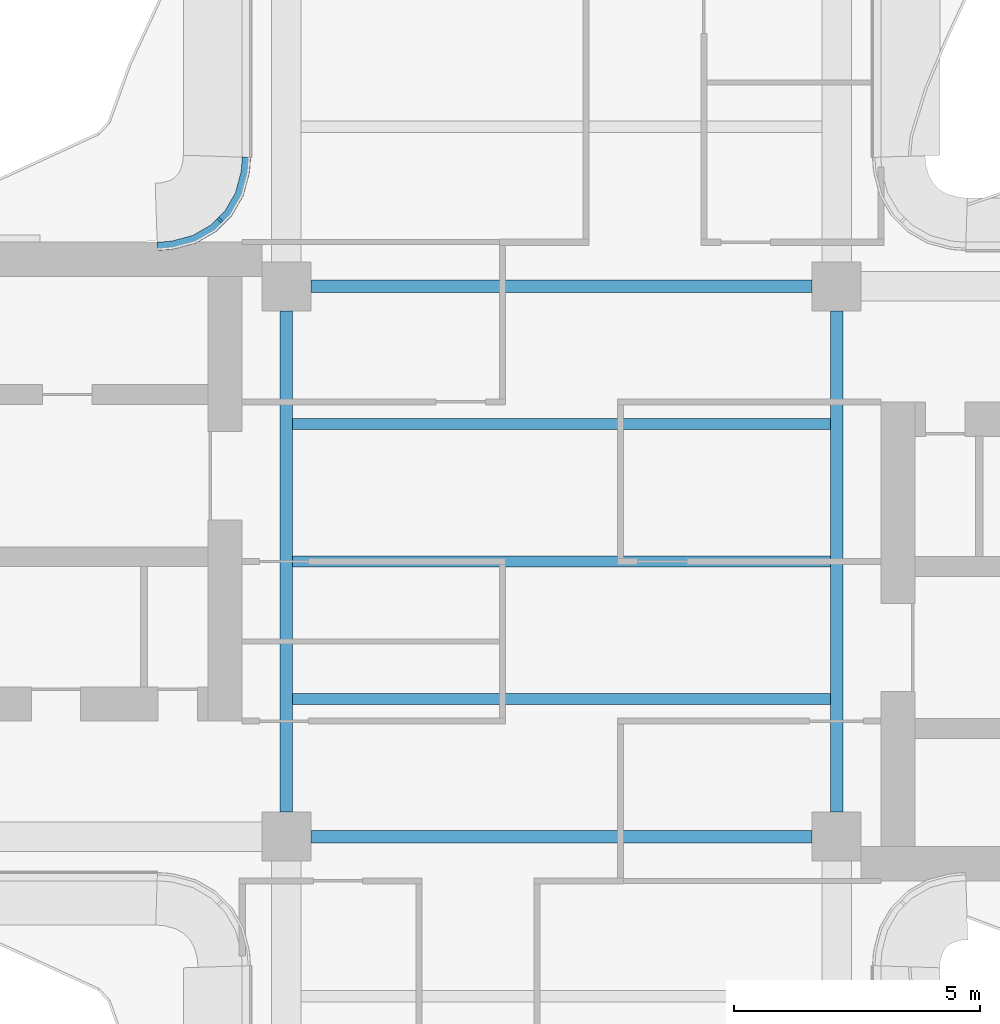
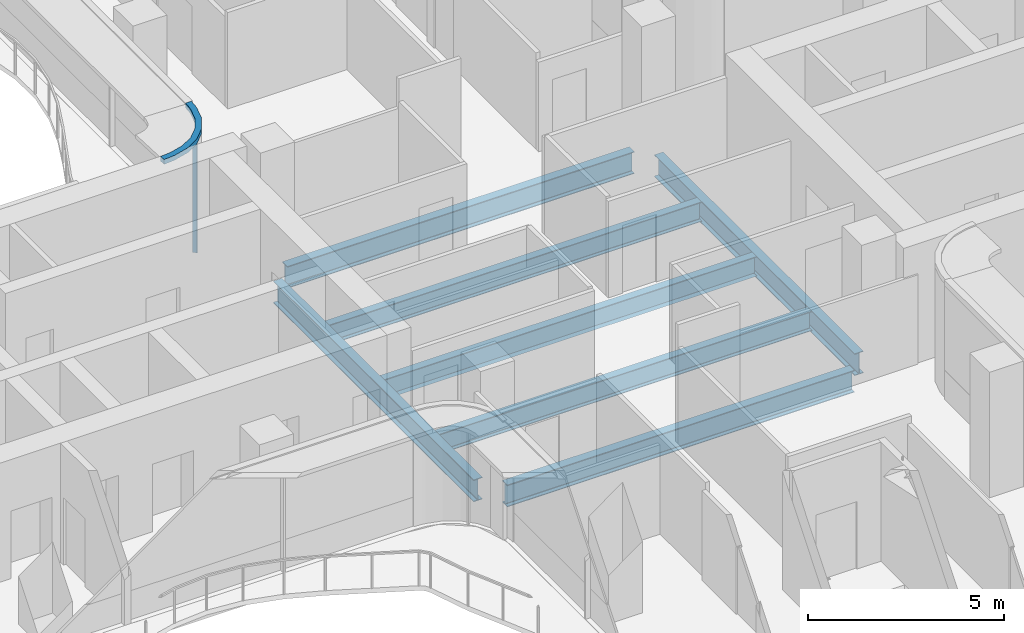
# One storey, part 4 of 15: 7 beams, 2 members, 1 element without a shape of its own.
"""IFC4 building model written with IfcOpenShell, lengths in metres."""

import ifcopenshell
import ifcopenshell.guid

model = None  # the IFC model being written
_history = None  # IfcOwnerHistory: only IFC2X3 demands one
_inside = {}  # id of a spatial element -> (the spatial element, [elements in it])
_under = {}  # id of a project, library or spatial element -> (it, [spatial elements below it])
_declared = {}  # id of a project -> (the project, [libraries it declares])
_typed = {}  # id of a type object -> (the type object, [elements of that type])
_made_of = {}  # id of a material, layer set ... -> (it, [elements and type objects made of it])


def new_model(schema):
    """Start an empty IFC model of exactly this schema.

    Asked for "IFC4X3", IfcOpenShell would pick the latest addendum, in which some entities
    have other attributes; the version numbers below select the first issue.
    IFC2X3 requires an IfcOwnerHistory on every rooted entity: one is made here for all.
    """
    global model, _history
    if schema == "IFC4X3":
        model = ifcopenshell.file(schema_version=(4, 3, 0, 0))
    else:
        model = ifcopenshell.file(schema=schema)
    _inside.clear()
    _under.clear()
    _declared.clear()
    _typed.clear()
    _made_of.clear()
    _history = None
    if model.schema == "IFC2X3":
        org = make("IfcOrganization", Name="unknown")
        user = make(
            "IfcPersonAndOrganization",
            ThePerson=make("IfcPerson", FamilyName="unknown"),
            TheOrganization=org,
        )
        app = make(
            "IfcApplication",
            ApplicationDeveloper=org,
            Version="unknown",
            ApplicationFullName="unknown",
            ApplicationIdentifier="unknown",
        )
        _history = make(
            "IfcOwnerHistory",
            OwningUser=user,
            OwningApplication=app,
            ChangeAction="ADDED",
            CreationDate=0,
        )
    return model


def make(cls, **values):
    """One entity of the class cls with the attributes given. An attribute that is None is left unset."""
    return model.create_entity(
        cls, **{name: value for name, value in values.items() if value is not None}
    )


def rooted(cls, **values):
    """An entity with a GlobalId (a new one), such as an element, a storey or a relation."""
    return make(cls, GlobalId=ifcopenshell.guid.new(), OwnerHistory=_history, **values)


def si_unit(unit_type, name, prefix=None):
    """IfcSIUnit, for example si_unit("LENGTHUNIT", "METRE", prefix="MILLI")."""
    return make("IfcSIUnit", UnitType=unit_type, Prefix=prefix, Name=name)


def assignment(units):
    """IfcUnitAssignment: the units of a project."""
    return None if units is None else make("IfcUnitAssignment", Units=units)


def point(xyz):
    """IfcCartesianPoint."""
    return None if xyz is None else make("IfcCartesianPoint", Coordinates=xyz)


def direction(xyz):
    """IfcDirection."""
    return None if xyz is None else make("IfcDirection", DirectionRatios=xyz)


def frame(location, z_axis=None, x_axis=None):
    """IfcAxis2Placement3D, a coordinate frame: its origin and axes. An axis left out is left unset."""
    return make(
        "IfcAxis2Placement3D",
        Location=point(location),
        Axis=direction(z_axis),
        RefDirection=direction(x_axis),
    )


def frame_2d(location, x_axis=None):
    """IfcAxis2Placement2D, a coordinate frame in the plane: its origin and x axis."""
    return make(
        "IfcAxis2Placement2D", Location=point(location), RefDirection=direction(x_axis)
    )


def origin():
    """The frame at (0, 0, 0) with its axes left unset."""
    return frame((0.0, 0.0, 0.0))


def origin_2d():
    """The frame at (0, 0) in the plane with its x axis left unset."""
    return frame_2d((0.0, 0.0))


def place(relative_to, where):
    """IfcLocalPlacement: puts the frame where relative to a parent placement (None: the world)."""
    return make(
        "IfcLocalPlacement", PlacementRelTo=relative_to, RelativePlacement=where
    )


def context(
    kind, dimensions, precision=None, world=None, true_north=None, identifier=None
):
    """IfcGeometricRepresentationContext, for example the 3D "Model" context."""
    return make(
        "IfcGeometricRepresentationContext",
        ContextIdentifier=identifier,
        ContextType=kind,
        CoordinateSpaceDimension=dimensions,
        Precision=precision,
        WorldCoordinateSystem=world,
        TrueNorth=true_north,
    )


def subcontext(parent, identifier, kind, view, scale=None):
    """IfcGeometricRepresentationSubContext, for example "Body" below "Model"."""
    return make(
        "IfcGeometricRepresentationSubContext",
        ContextIdentifier=identifier,
        ContextType=kind,
        ParentContext=parent,
        TargetScale=scale,
        TargetView=view,
    )


def project(units=None, contexts=None):
    """IfcProject with its units and contexts."""
    return rooted(
        "IfcProject",
        Name="project",
        RepresentationContexts=contexts,
        UnitsInContext=assignment(units),
    )


def spatial(cls, under=None, at=None, **own):
    """A site, building, storey or space (cls), placed at a placement, below another one or the project."""
    s = rooted(cls, ObjectPlacement=at, **own)
    if under is not None:
        _under.setdefault(under.id(), (under, []))[1].append(s)
    return s


def polyline(points):
    """IfcPolyline through the points."""
    return make("IfcPolyline", Points=[point(p) for p in points])


def profile(cls, at=None, kind="AREA", **sizes):
    """A parametric profile (cls). Its sizes go by their IFC names, for example OverallWidth=200.0."""
    return make(cls, ProfileType=kind, Position=at, **sizes)


def rectangle(**sizes):
    """IfcRectangleProfileDef."""
    return profile("IfcRectangleProfileDef", **sizes)


def i_section(**sizes):
    """IfcIShapeProfileDef."""
    return profile("IfcIShapeProfileDef", **sizes)


def outline(outer, holes=None, kind="AREA"):
    """IfcArbitraryClosedProfileDef: a profile drawn as a closed curve; with holes, ...WithVoids."""
    if holes is None:
        return make("IfcArbitraryClosedProfileDef", ProfileType=kind, OuterCurve=outer)
    return make(
        "IfcArbitraryProfileDefWithVoids",
        ProfileType=kind,
        OuterCurve=outer,
        InnerCurves=holes,
    )


def extrude(swept, where, along, depth):
    """IfcExtrudedAreaSolid: the profile swept, set in the frame where, extruded along a direction by depth."""
    return make(
        "IfcExtrudedAreaSolid",
        SweptArea=swept,
        Position=where,
        ExtrudedDirection=direction(along),
        Depth=depth,
    )


def shape(context_of_items, identifier, shape_type, items):
    """IfcShapeRepresentation: the items that make up one representation, for example the "Body"."""
    return make(
        "IfcShapeRepresentation",
        ContextOfItems=context_of_items,
        RepresentationIdentifier=identifier,
        RepresentationType=shape_type,
        Items=items,
    )


def source(mapping_origin, context_of_items, identifier, shape_type, items):
    """IfcRepresentationMap: a shape defined once, which mapped items show again and again."""
    return make(
        "IfcRepresentationMap",
        MappingOrigin=mapping_origin,
        MappedRepresentation=shape(context_of_items, identifier, shape_type, items),
    )


def transform(
    local_origin,
    x_axis=None,
    y_axis=None,
    z_axis=None,
    scale=None,
    scale2=None,
    scale3=None,
    uniform=True,
):
    """IfcCartesianTransformationOperator3D, or its non-uniform kind. x_axis, y_axis, z_axis: its Axis1, 2, 3."""
    if uniform:
        return make(
            "IfcCartesianTransformationOperator3D",
            Axis1=direction(x_axis),
            Axis2=direction(y_axis),
            LocalOrigin=point(local_origin),
            Scale=scale,
            Axis3=direction(z_axis),
        )
    return make(
        "IfcCartesianTransformationOperator3DnonUniform",
        Axis1=direction(x_axis),
        Axis2=direction(y_axis),
        LocalOrigin=point(local_origin),
        Scale=scale,
        Axis3=direction(z_axis),
        Scale2=scale2,
        Scale3=scale3,
    )


def mapped(mapping_source, mapping_target):
    """IfcMappedItem: shows the shape of a source again, moved by a transform."""
    return make(
        "IfcMappedItem", MappingSource=mapping_source, MappingTarget=mapping_target
    )


def material(Name=None, Category=None):
    """IfcMaterial."""
    return make("IfcMaterial", Name=Name, Category=Category)


def layer(
    of_material, thickness, ventilated=None, Name=None, Category=None, Priority=None
):
    """IfcMaterialLayer: one layer of a wall or slab, of a material (None: an air gap)."""
    return make(
        "IfcMaterialLayer",
        Material=of_material,
        LayerThickness=thickness,
        IsVentilated=ventilated,
        Name=Name,
        Category=Category,
        Priority=Priority,
    )


def layer_set(layers, Name=None):
    """IfcMaterialLayerSet."""
    return make("IfcMaterialLayerSet", MaterialLayers=layers, LayerSetName=Name)


def material_profile(
    of_material, cross_section, Name=None, Category=None, Priority=None
):
    """IfcMaterialProfile: a cross section and its material."""
    return make(
        "IfcMaterialProfile",
        Name=Name,
        Material=of_material,
        Profile=cross_section,
        Priority=Priority,
        Category=Category,
    )


def profile_set(profiles, Name=None, composite=None):
    """IfcMaterialProfileSet."""
    return make(
        "IfcMaterialProfileSet",
        Name=Name,
        MaterialProfiles=profiles,
        CompositeProfile=composite,
    )


def made_of(thing, what):
    """Note that an element or type object is made of a material, layer set ...; save() writes the relation."""
    if what is not None:
        _made_of.setdefault(what.id(), (what, []))[1].append(thing)
    return thing


def type_object(cls, material=None, **own):
    """A type object (cls), such as IfcWallType, which elements share."""
    return made_of(rooted(cls, **own), material)


def element(
    cls,
    number,
    at=None,
    inside=None,
    cuts=None,
    type_object=None,
    material=None,
    context=None,
    identifier="Body",
    shape_type=None,
    held_by="IfcProductDefinitionShape",
    body=None,
    shapes=None,
    **own,
):
    """One element of the class cls, such as IfcWall. Its Tag is "e" and its number.

    at: its placement. inside: the storey or other place that contains it. cuts: it is an
    opening in that element (IfcRelVoidsElement). A single representation is given by context,
    identifier, shape_type and body (its items); several are given by shapes. held_by: the class
    of the entity that holds the representations. save() writes the other relations.
    """
    e = rooted(cls, Tag="e%d" % number, ObjectPlacement=at, **own)
    if body is not None:
        shapes = [shape(context, identifier, shape_type, body)]
    if shapes is not None:
        e.Representation = make(held_by, Representations=shapes)
    if inside is not None:
        _inside.setdefault(inside.id(), (inside, []))[1].append(e)
    if cuts is not None:
        rooted(
            "IfcRelVoidsElement", RelatingBuildingElement=cuts, RelatedOpeningElement=e
        )
    if type_object is not None:
        _typed.setdefault(type_object.id(), (type_object, []))[1].append(e)
    return made_of(e, material)


def aggregate(whole, parts):
    """IfcRelAggregates: a whole, such as a stair, and the parts it consists of."""
    return rooted("IfcRelAggregates", RelatingObject=whole, RelatedObjects=parts)


def save(model, path):
    """Write the relations noted so far, then the file.

    IfcRelAggregates (storeys below a building ...), IfcRelContainedInSpatialStructure (elements
    in a storey), IfcRelDefinesByType, IfcRelAssociatesMaterial and IfcRelDeclares: one each for
    every whole, place, type object, material and project.
    """
    for whole, parts in _under.values():
        aggregate(whole, parts)
    for where, things in _inside.values():
        rooted(
            "IfcRelContainedInSpatialStructure",
            RelatedElements=things,
            RelatingStructure=where,
        )
    for kind, things in _typed.values():
        rooted("IfcRelDefinesByType", RelatedObjects=things, RelatingType=kind)
    for what, things in _made_of.values():
        rooted("IfcRelAssociatesMaterial", RelatedObjects=things, RelatingMaterial=what)
    for by, libraries in _declared.values():
        rooted("IfcRelDeclares", RelatingContext=by, RelatedDefinitions=libraries)
    model.write(path)


model = new_model("IFC4")

# Units and contexts
model_context = context("Model", 3, precision=1e-05, world=origin(), true_north=direction((0.0, 1.0)))
body_context = subcontext(model_context, "Body", "Model", "MODEL_VIEW")
ifc_project = project(units=[si_unit("LENGTHUNIT", "METRE"), si_unit("AREAUNIT", "SQUARE_METRE"), si_unit("VOLUMEUNIT", "CUBIC_METRE"), si_unit("PLANEANGLEUNIT", "RADIAN"), si_unit("MASSUNIT", "GRAM", prefix="KILO")], contexts=[model_context])

# Site, building, storey
site_placement = place(None, origin())
site = spatial("IfcSite", under=ifc_project, at=site_placement, CompositionType="ELEMENT")
building_placement = place(site_placement, origin())
building = spatial("IfcBuilding", under=site, at=building_placement, Name="Trellis Farm Tower", CompositionType="ELEMENT")
storey_placement = place(building_placement, frame((0.0, 0.0, 287.199951171875)))
storey = spatial("IfcBuildingStorey", under=building, at=storey_placement, Name="L64", CompositionType="ELEMENT", Elevation=287.199951171875)

# Beams
ifc_material_1 = material(Name="Steel S355", Category="steel")
ifc_material_profile_1 = material_profile(ifc_material_1, i_section(OverallWidth=0.22900390625, OverallDepth=0.6123046875, WebThickness=0.011962890625, FlangeThickness=0.01953125, FilletRadius=0.0126953125, at=origin_2d()), Name="UB 610x229x125")
ifc_profile_set_1 = profile_set([ifc_material_profile_1], Name="Steel S355")
beam_type_1 = type_object("IfcBeamType", Name="UB 610x229x125 joist", PredefinedType="JOIST", material=ifc_profile_set_1)
shared_shape_1 = source(origin(), body_context, "Body", "SweptSolid", [
    extrude(i_section(OverallWidth=0.22900390625, OverallDepth=0.6123046875, WebThickness=0.011962890625, FlangeThickness=0.01953125, FilletRadius=0.0126953125, at=origin_2d()), origin(), (0.0, 0.0, 1.0), 10.9462890625),
])
for number, where, z_axis, x_axis, name in (
    (1, (-5.47314453125, -2.800048828125, -0.506103515625), (1.0, 0.0, 0.0), (0.0, 1.0, 0.0), "Floor beam"),
    (2, (-5.47314453125, 0.0, -0.506103515625), (1.0, 0.0, 0.0), (0.0, 1.0, 0.0), "Floor beam"),
    (3, (-5.47314453125, 2.800048828125, -0.506103515625), (1.0, 0.0, 0.0), (0.0, 1.0, 0.0), "Floor beam"),
):
    element("IfcBeam", number, at=place(storey_placement, frame(where, z_axis=z_axis, x_axis=x_axis)), inside=storey, type_object=beam_type_1, Name=name, PredefinedType="JOIST", context=body_context, shape_type="MappedRepresentation", body=[
        mapped(shared_shape_1, transform((0.0, 0.0, 0.0))),
    ])
ifc_material_profile_2 = material_profile(ifc_material_1, i_section(OverallWidth=0.253662109375, OverallDepth=0.68359375, WebThickness=0.012451171875, FlangeThickness=0.021728515625, FilletRadius=0.01513671875, at=origin_2d()), Name="UB 686x254x140")
ifc_profile_set_2 = profile_set([ifc_material_profile_2], Name="Steel S355")
beam_type_2 = type_object("IfcBeamType", Name="UB 686x254x140", PredefinedType="BEAM", material=ifc_profile_set_2)
shared_shape_2 = source(origin(), body_context, "Body", "SweptSolid", [
    extrude(i_section(OverallWidth=0.253662109375, OverallDepth=0.68359375, WebThickness=0.012451171875, FlangeThickness=0.021728515625, FilletRadius=0.01513671875, at=origin_2d()), origin(), (0.0, 0.0, 1.0), 10.2001953125),
])
for number, where, z_axis, x_axis, name in (
    (4, (-5.10009765625, -5.60009765625, -0.541748046875), (1.0, 0.0, 0.0), (0.0, 1.0, 0.0), "Girder"),
    (5, (-5.10009765625, 5.60009765625, -0.541748046875), (1.0, 0.0, 0.0), (0.0, 1.0, 0.0), "Girder"),
    (6, (-5.60009765625, -5.10009765625, -0.541748046875), (0.0, 1.0, 0.0), (-1.0, 0.0, 0.0), "Girder"),
    (7, (5.60009765625, -5.10009765625, -0.541748046875), (0.0, 1.0, 0.0), (-1.0, 0.0, 0.0), "Girder"),
):
    element("IfcBeam", number, at=place(storey_placement, frame(where, z_axis=z_axis, x_axis=x_axis)), inside=storey, type_object=beam_type_2, Name=name, PredefinedType="BEAM", context=body_context, shape_type="MappedRepresentation", body=[
        mapped(shared_shape_2, transform((0.0, 0.0, 0.0))),
    ])

# Curtain wall, members
ifc_material_2 = material(Name="Aluminium and glass curtain wall", Category="aluminium")
ifc_layer_1 = layer(ifc_material_2, 0.166015625)
ifc_layer_set_1 = layer_set([ifc_layer_1], Name="WINTER GARDEN CURTAIN WALL CW3")
curtain_wall_type = type_object("IfcCurtainWallType", Name="WINTER GARDEN CURTAIN WALL CW3", PredefinedType="NOTDEFINED", material=ifc_layer_set_1)
curtain_wall_placement = place(storey_placement, origin())
curtain_wall = element("IfcCurtainWall", 8, at=curtain_wall_placement, inside=storey, type_object=curtain_wall_type, Name="CW3 004", PredefinedType="NOTDEFINED")
ifc_material_3 = material(Name="Aluminium extrusion 6063-T6", Category="aluminium")
ifc_layer_2 = layer(ifc_material_3, 0.169921875)
ifc_layer_set_2 = layer_set([ifc_layer_2], Name="Aluminium extrusion 6063-T6")
member_type_1 = type_object("IfcMemberType", Name="CW3 TRANSOM 170x150", PredefinedType="USERDEFINED", material=ifc_layer_set_2)
shared_shape_3 = source(origin(), body_context, "Body", "SweptSolid", [
    extrude(outline(polyline([(-6.5, 8.2314453125), (-6.513916015625, 8.01953125), (-6.527587890625, 7.91552734375), (-6.63671875, 7.508544921875), (-6.846923828125, 7.144287109375), (-7.144287109375, 6.846923828125), (-7.508544921875, 6.63671875), (-7.91552734375, 6.527587890625), (-8.01953125, 6.513916015625), (-8.2314453125, 6.5), (-8.225830078125, 6.330078125), (-8.0029296875, 6.3447265625), (-7.88232421875, 6.360595703125), (-7.44287109375, 6.478271484375), (-7.0400390625, 6.7109375), (-6.7109375, 7.0400390625), (-6.478271484375, 7.44287109375), (-6.360595703125, 7.88232421875), (-6.3447265625, 8.0029296875), (-6.330078125, 8.225830078125), (-6.5, 8.2314453125)])), origin(), (0.0, 0.0, 1.0), 0.14990234375),
])
member_1_placement = place(storey_placement, frame((0.0, 0.0, 3.550048828125)))
member_1 = element("IfcMember", 9, at=member_1_placement, type_object=member_type_1, Name="TR3 004", ObjectType="TRANSOM", PredefinedType="USERDEFINED", context=body_context, shape_type="MappedRepresentation", body=[
    mapped(shared_shape_3, transform((0.0, 0.0, 0.0))),
])
ifc_material_profile_3 = material_profile(ifc_material_3, rectangle(XDim=0.050048828125, YDim=0.1201171875, at=origin_2d()), Name="MULLION 50x120")
ifc_profile_set_3 = profile_set([ifc_material_profile_3], Name="Aluminium extrusion 6063-T6")
member_type_2 = type_object("IfcMemberType", Name="CW3 MULLION 50x120", PredefinedType="MULLION", material=ifc_profile_set_3)
shared_shape_4 = source(origin(), body_context, "Body", "SweptSolid", [
    extrude(rectangle(XDim=0.050048828125, YDim=0.1201171875, at=origin_2d()), origin(), (0.0, 0.0, 1.0), 3.550048828125),
])
member_2_placement = place(storey_placement, frame((-6.953125, 6.953125, 0.0), z_axis=(0.0, 0.0, 1.0), x_axis=(-0.707106781187, -0.707106781187, 0.0)))
member_2 = element("IfcMember", 10, at=member_2_placement, type_object=member_type_2, Name="MU3 004-01", PredefinedType="MULLION", context=body_context, shape_type="MappedRepresentation", body=[
    mapped(shared_shape_4, transform((0.0, 0.0, 0.0))),
])
aggregate(curtain_wall, [member_2, member_1])

save(model, "model.ifc")
